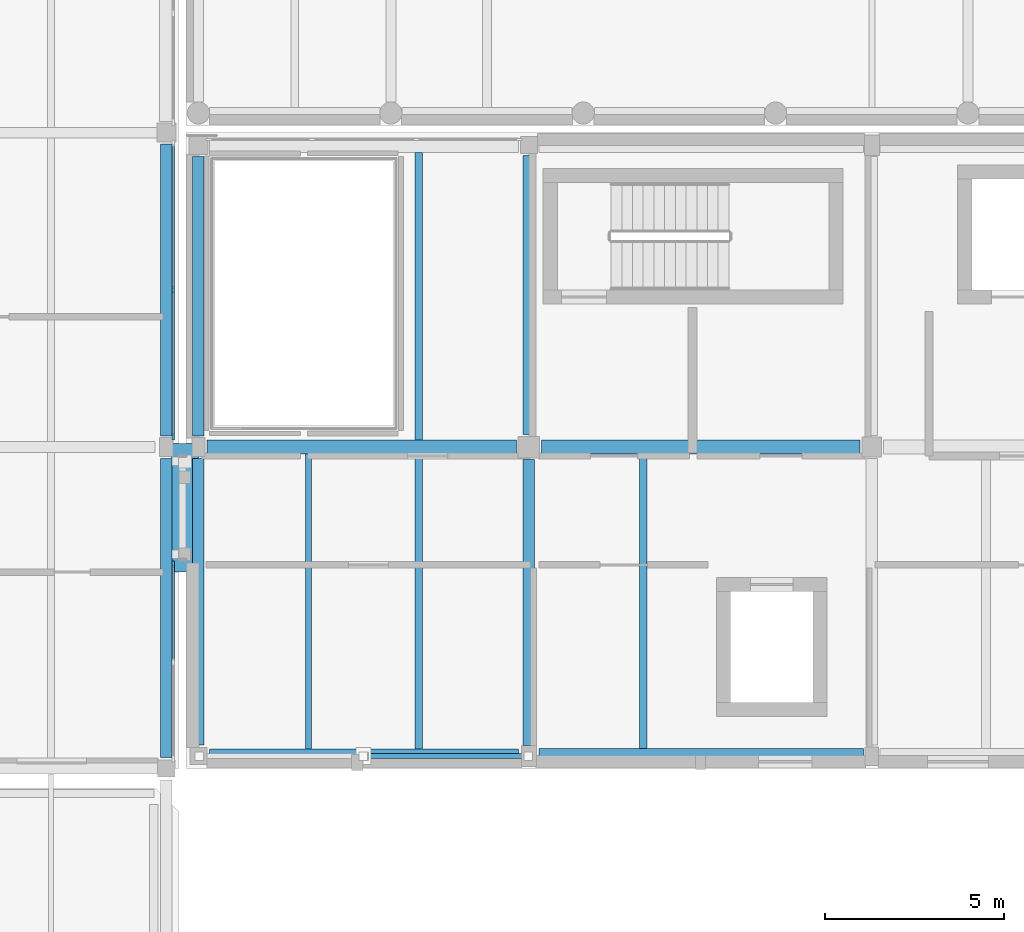
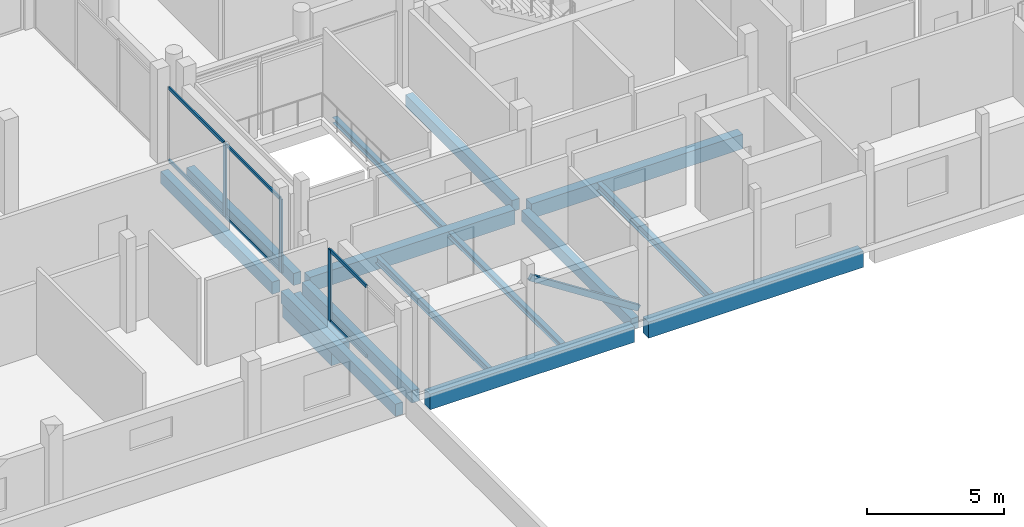
# One storey, part 7 of 66: 15 beams, 10 members, 2 elements without a shape of their own.
"""IFC4 building model written with IfcOpenShell, lengths in metres."""

from ifc_helpers import new_model, si_unit, direction, frame, origin, origin_2d, place, context, subcontext, project, spatial, rectangle, hollow_rectangle, i_section, extrude, material, layer, layer_set, material_profile, profile_set, type_object, element, aggregate, save


model = new_model("IFC4")

# Units and contexts
model_context = context("Model", 3, precision=1e-05, world=origin(), true_north=direction((0.0, 1.0)))
body_context = subcontext(model_context, "Body", "Model", "MODEL_VIEW")
ifc_project = project(units=[si_unit("LENGTHUNIT", "METRE"), si_unit("AREAUNIT", "SQUARE_METRE"), si_unit("VOLUMEUNIT", "CUBIC_METRE"), si_unit("PLANEANGLEUNIT", "RADIAN"), si_unit("MASSUNIT", "GRAM", prefix="KILO")], contexts=[model_context])

# Site, building, storey
site_placement = place(None, origin())
site = spatial("IfcSite", under=ifc_project, at=site_placement, CompositionType="ELEMENT")
building_placement = place(site_placement, origin())
building = spatial("IfcBuilding", under=site, at=building_placement, Name="Birchvale Park Specialist Clinic", CompositionType="ELEMENT")
storey_placement = place(building_placement, frame((0.0, 0.0, 5.39990234375)))
storey = spatial("IfcBuildingStorey", under=building, at=storey_placement, Name="L01", CompositionType="ELEMENT", Elevation=5.39990234375)

# Beams
ifc_material_1 = material(Name="Concrete C40/50", Category="concrete")
ifc_material_profile_1 = material_profile(ifc_material_1, rectangle(XDim=0.419921875, YDim=0.719970703125, at=origin_2d()), Name="RCB-420x720")
ifc_profile_set_1 = profile_set([ifc_material_profile_1], Name="Concrete C40/50")
beam_type_1 = type_object("IfcBeamType", Name="BM-EXT-BG3", PredefinedType="BEAM", material=ifc_profile_set_1)
beam_1_placement = place(storey_placement, frame((61.68994140625, 17.14990234375, -0.639892578125), z_axis=(1.0, 0.0, 0.0), x_axis=(0.0, 1.0, 0.0)))
element("IfcBeam", 1, at=beam_1_placement, inside=storey, type_object=beam_type_1, Name="V4 L01 X girder 2", PredefinedType="BEAM", context=body_context, shape_type="SweptSolid", body=[
    extrude(rectangle(XDim=0.419921875, YDim=0.719970703125, at=origin_2d()), origin(), (0.0, 0.0, 1.0), 9.074951171875),
])
ifc_material_profile_2 = material_profile(ifc_material_1, rectangle(XDim=0.39990234375, YDim=0.68994140625, at=origin_2d()), Name="RCB-400x690")
ifc_profile_set_2 = profile_set([ifc_material_profile_2], Name="Concrete C40/50")
beam_type_2 = type_object("IfcBeamType", Name="BM-EXT-BG4", PredefinedType="BEAM", material=ifc_profile_set_2)
beam_2_placement = place(storey_placement, frame((52.465087890625, 17.14990234375, -0.625), z_axis=(1.0, 0.0, 0.0), x_axis=(0.0, 1.0, 0.0)))
element("IfcBeam", 2, at=beam_2_placement, inside=storey, type_object=beam_type_2, Name="V4 L01 X girder 1", PredefinedType="BEAM", context=body_context, shape_type="SweptSolid", body=[
    extrude(rectangle(XDim=0.39990234375, YDim=0.68994140625, at=origin_2d()), origin(), (0.0, 0.0, 1.0), 8.64501953125),
])
ifc_material_profile_3 = material_profile(ifc_material_1, rectangle(XDim=0.320068359375, YDim=0.5400390625, at=origin_2d()), Name="RCB-320x540")
ifc_profile_set_3 = profile_set([ifc_material_profile_3], Name="Concrete C40/50")
beam_type_3 = type_object("IfcBeamType", Name="BM-EXT-BG7", PredefinedType="BEAM", material=ifc_profile_set_3)
beam_3_placement = place(storey_placement, frame((51.25, 17.114990234375, -0.619873046875), z_axis=(0.0, 1.0, 0.0), x_axis=(-1.0, 0.0, 0.0)))
element("IfcBeam", 3, at=beam_3_placement, inside=storey, type_object=beam_type_3, Name="V2 L01 Y girder 68", PredefinedType="BEAM", context=body_context, shape_type="SweptSolid", body=[
    extrude(rectangle(XDim=0.320068359375, YDim=0.5400390625, at=origin_2d()), origin(), (0.0, 0.0, 1.0), 8.3701171875),
])
beam_4_placement = place(storey_placement, frame((51.25, 26.114990234375, -0.619873046875), z_axis=(0.0, 1.0, 0.0), x_axis=(-1.0, 0.0, 0.0)))
element("IfcBeam", 4, at=beam_4_placement, inside=storey, type_object=beam_type_3, Name="V2 L01 Y girder 69", PredefinedType="BEAM", context=body_context, shape_type="SweptSolid", body=[
    extrude(rectangle(XDim=0.320068359375, YDim=0.5400390625, at=origin_2d()), origin(), (0.0, 0.0, 1.0), 8.169921875),
])
beam_5_placement = place(storey_placement, frame((52.14990234375, 17.465087890625, -0.5498046875), z_axis=(0.0, 1.0, 0.0), x_axis=(-1.0, 0.0, 0.0)))
element("IfcBeam", 5, at=beam_5_placement, inside=storey, type_object=beam_type_3, Name="V4 L01 Y girder 21", PredefinedType="BEAM", context=body_context, shape_type="SweptSolid", body=[
    extrude(rectangle(XDim=0.320068359375, YDim=0.5400390625, at=origin_2d()), origin(), (0.0, 0.0, 1.0), 8.02001953125),
])
beam_6_placement = place(storey_placement, frame((52.14990234375, 26.114990234375, -0.5498046875), z_axis=(0.0, 1.0, 0.0), x_axis=(-1.0, 0.0, 0.0)))
element("IfcBeam", 6, at=beam_6_placement, inside=storey, type_object=beam_type_3, Name="V4 L01 Y girder 22", PredefinedType="BEAM", context=body_context, shape_type="SweptSolid", body=[
    extrude(rectangle(XDim=0.320068359375, YDim=0.5400390625, at=origin_2d()), origin(), (0.0, 0.0, 1.0), 7.820068359375),
])
ifc_material_profile_4 = material_profile(ifc_material_1, rectangle(XDim=0.760009765625, YDim=0.889892578125, at=origin_2d()), Name="RCB-760x890")
ifc_profile_set_4 = profile_set([ifc_material_profile_4], Name="Concrete C40/50")
beam_type_4 = type_object("IfcBeamType", Name="BM-EXT-RB2", PredefinedType="BEAM", material=ifc_profile_set_4)
beam_7_placement = place(storey_placement, frame((51.77001953125, 22.300048828125, -1.431884765625), z_axis=(0.0, 1.0, 0.0), x_axis=(-1.0, 0.0, 0.0)))
element("IfcBeam", 7, at=beam_7_placement, inside=storey, type_object=beam_type_4, Name="L01 seismic joint RC corbel seat 760 mm BRG-1", PredefinedType="BEAM", context=body_context, shape_type="SweptSolid", body=[
    extrude(rectangle(XDim=0.760009765625, YDim=0.889892578125, at=origin_2d()), origin(), (0.0, 0.0, 1.0), 3.599853515625),
])
ifc_material_profile_5 = material_profile(ifc_material_1, rectangle(XDim=0.39990234375, YDim=0.64990234375, at=origin_2d()), Name="RCB-400x650")
ifc_profile_set_5 = profile_set([ifc_material_profile_5], Name="Concrete C40/50")
beam_type_5 = type_object("IfcBeamType", Name="BM-INT-BG4", PredefinedType="BEAM", material=ifc_profile_set_5)
beam_8_placement = place(storey_placement, frame((52.385009765625, 25.800048828125, -0.60498046875), z_axis=(1.0, 0.0, 0.0), x_axis=(0.0, 1.0, 0.0)))
element("IfcBeam", 8, at=beam_8_placement, inside=storey, type_object=beam_type_5, Name="V4 L01 X girder 7", PredefinedType="BEAM", context=body_context, shape_type="SweptSolid", body=[
    extrude(rectangle(XDim=0.39990234375, YDim=0.64990234375, at=origin_2d()), origin(), (0.0, 0.0, 1.0), 8.6650390625),
])
beam_9_placement = place(storey_placement, frame((61.75, 25.800048828125, -0.60498046875), z_axis=(1.0, 0.0, 0.0), x_axis=(0.0, 1.0, 0.0)))
element("IfcBeam", 9, at=beam_9_placement, inside=storey, type_object=beam_type_5, Name="V4 L01 X girder 8", PredefinedType="BEAM", context=body_context, shape_type="SweptSolid", body=[
    extrude(rectangle(XDim=0.39990234375, YDim=0.64990234375, at=origin_2d()), origin(), (0.0, 0.0, 1.0), 8.925048828125),
])
ifc_material_profile_6 = material_profile(ifc_material_1, rectangle(XDim=0.320068359375, YDim=0.5, at=origin_2d()), Name="RCB-320x500")
ifc_profile_set_6 = profile_set([ifc_material_profile_6], Name="Concrete C40/50")
beam_type_6 = type_object("IfcBeamType", Name="BM-INT-BG7", PredefinedType="BEAM", material=ifc_profile_set_6)
beam_10_placement = place(storey_placement, frame((61.39990234375, 17.43994140625, -0.52978515625), z_axis=(0.0, 1.0, 0.0), x_axis=(-1.0, 0.0, 0.0)))
element("IfcBeam", 10, at=beam_10_placement, inside=storey, type_object=beam_type_6, Name="V4 L01 Y girder 23", PredefinedType="BEAM", context=body_context, shape_type="SweptSolid", body=[
    extrude(rectangle(XDim=0.320068359375, YDim=0.5, at=origin_2d()), origin(), (0.0, 0.0, 1.0), 8.010009765625),
])
beam_11_placement = place(storey_placement, frame((61.39990234375, 26.14990234375, -0.52978515625), z_axis=(0.0, 1.0, 0.0), x_axis=(-1.0, 0.0, 0.0)))
element("IfcBeam", 11, at=beam_11_placement, inside=storey, type_object=beam_type_6, Name="V4 L01 Y girder 24", PredefinedType="BEAM", context=body_context, shape_type="SweptSolid", body=[
    extrude(rectangle(XDim=0.320068359375, YDim=0.5, at=origin_2d()), origin(), (0.0, 0.0, 1.0), 7.81005859375),
])

# Curtain wall, member
ifc_material_2 = material(Name="Thermally broken anodised aluminium", Category="aluminium")
ifc_layer = layer(ifc_material_2, 0.195068359375)
ifc_layer_set = layer_set([ifc_layer], Name="Thermally broken anodised aluminium")
curtain_wall_type = type_object("IfcCurtainWallType", Name="CW-U2", PredefinedType="USERDEFINED", material=ifc_layer_set)
curtain_wall_1_placement = place(storey_placement, origin())
curtain_wall_1 = element("IfcCurtainWall", 12, at=curtain_wall_1_placement, inside=storey, type_object=curtain_wall_type, Name="V2 L01 glazed curtain wall 81", ObjectType="UNITISED", PredefinedType="USERDEFINED")
ifc_material_profile_7 = material_profile(ifc_material_2, rectangle(XDim=0.06494140625, YDim=0.179931640625, at=origin_2d()), Name="CWM-65x180")
ifc_profile_set_7 = profile_set([ifc_material_profile_7], Name="Thermally broken anodised aluminium")
member_type_1 = type_object("IfcMemberType", Name="CWM2", PredefinedType="MULLION", material=ifc_profile_set_7)
member_1_placement = place(storey_placement, frame((51.445068359375, 22.517578125, 0.0), z_axis=(0.0, 0.0, 1.0), x_axis=(-1.0, 0.0, 0.0)))
member_1 = element("IfcMember", 13, at=member_1_placement, type_object=member_type_1, Name="CW mullion 3", PredefinedType="MULLION", context=body_context, shape_type="SweptSolid", body=[
    extrude(rectangle(XDim=0.06494140625, YDim=0.179931640625, at=origin_2d()), origin(), (0.0, 0.0, 1.0), 3.195068359375),
])

# Curtain wall, members
curtain_wall_2_placement = place(storey_placement, origin())
curtain_wall_2 = element("IfcCurtainWall", 14, at=curtain_wall_2_placement, inside=storey, type_object=curtain_wall_type, Name="V2 L01 glazed curtain wall 82", ObjectType="UNITISED", PredefinedType="USERDEFINED")
member_2_placement = place(storey_placement, frame((51.445068359375, 26.092529296875, 0.0), z_axis=(0.0, 0.0, 1.0), x_axis=(-1.0, 0.0, 0.0)))
member_2 = element("IfcMember", 15, at=member_2_placement, type_object=member_type_1, Name="CW mullion 1", PredefinedType="MULLION", context=body_context, shape_type="SweptSolid", body=[
    extrude(rectangle(XDim=0.06494140625, YDim=0.179931640625, at=origin_2d()), origin(), (0.0, 0.0, 1.0), 3.295166015625),
])
member_3_placement = place(storey_placement, frame((51.445068359375, 30.197509765625, 0.0), z_axis=(0.0, 0.0, 1.0), x_axis=(-1.0, 0.0, 0.0)))
member_3 = element("IfcMember", 16, at=member_3_placement, type_object=member_type_1, Name="CW mullion 2", PredefinedType="MULLION", context=body_context, shape_type="SweptSolid", body=[
    extrude(rectangle(XDim=0.06494140625, YDim=0.179931640625, at=origin_2d()), origin(), (0.0, 0.0, 1.0), 3.295166015625),
])

# Member
ifc_material_profile_8 = material_profile(ifc_material_2, rectangle(XDim=0.06494140625, YDim=0.139892578125, at=origin_2d()), Name="CWT-65x140")
ifc_profile_set_8 = profile_set([ifc_material_profile_8], Name="Thermally broken anodised aluminium")
member_type_2 = type_object("IfcMemberType", Name="CWT2", PredefinedType="USERDEFINED", material=ifc_profile_set_8)
member_4_placement = place(storey_placement, frame((51.445068359375, 19.827392578125, 0.03271484375), z_axis=(0.0, 1.0, 0.0), x_axis=(-1.0, 0.0, 0.0)))
member_4 = element("IfcMember", 17, at=member_4_placement, type_object=member_type_2, Name="CW transom 2.1", ObjectType="TRANSOM", PredefinedType="USERDEFINED", context=body_context, shape_type="SweptSolid", body=[
    extrude(rectangle(XDim=0.06494140625, YDim=0.139892578125, at=origin_2d()), origin(), (0.0, 0.0, 1.0), 2.65771484375),
])

member_5_placement = place(storey_placement, frame((51.445068359375, 19.827392578125, 3.16259765625), z_axis=(0.0, 1.0, 0.0), x_axis=(-1.0, 0.0, 0.0)))
member_5 = element("IfcMember", 18, at=member_5_placement, type_object=member_type_2, Name="CW transom 2.2", ObjectType="TRANSOM", PredefinedType="USERDEFINED", context=body_context, shape_type="SweptSolid", body=[
    extrude(rectangle(XDim=0.06494140625, YDim=0.139892578125, at=origin_2d()), origin(), (0.0, 0.0, 1.0), 2.65771484375),
])

aggregate(curtain_wall_1, [member_1, member_4, member_5])

member_6_placement = place(storey_placement, frame((51.445068359375, 26.125, 0.03271484375), z_axis=(0.0, 1.0, 0.0), x_axis=(-1.0, 0.0, 0.0)))
member_6 = element("IfcMember", 19, at=member_6_placement, type_object=member_type_2, Name="CW transom 1.1", ObjectType="TRANSOM", PredefinedType="USERDEFINED", context=body_context, shape_type="SweptSolid", body=[
    extrude(rectangle(XDim=0.06494140625, YDim=0.139892578125, at=origin_2d()), origin(), (0.0, 0.0, 1.0), 4.0400390625),
])

member_7_placement = place(storey_placement, frame((51.445068359375, 26.125, 3.2626953125), z_axis=(0.0, 1.0, 0.0), x_axis=(-1.0, 0.0, 0.0)))
member_7 = element("IfcMember", 20, at=member_7_placement, type_object=member_type_2, Name="CW transom 1.2", ObjectType="TRANSOM", PredefinedType="USERDEFINED", context=body_context, shape_type="SweptSolid", body=[
    extrude(rectangle(XDim=0.06494140625, YDim=0.139892578125, at=origin_2d()), origin(), (0.0, 0.0, 1.0), 4.0400390625),
])

member_8_placement = place(storey_placement, frame((51.445068359375, 30.22998046875, 0.03271484375), z_axis=(0.0, 1.0, 0.0), x_axis=(-1.0, 0.0, 0.0)))
member_8 = element("IfcMember", 21, at=member_8_placement, type_object=member_type_2, Name="CW transom 2.1", ObjectType="TRANSOM", PredefinedType="USERDEFINED", context=body_context, shape_type="SweptSolid", body=[
    extrude(rectangle(XDim=0.06494140625, YDim=0.139892578125, at=origin_2d()), origin(), (0.0, 0.0, 1.0), 4.0400390625),
])

member_9_placement = place(storey_placement, frame((51.445068359375, 30.22998046875, 3.2626953125), z_axis=(0.0, 1.0, 0.0), x_axis=(-1.0, 0.0, 0.0)))
member_9 = element("IfcMember", 22, at=member_9_placement, type_object=member_type_2, Name="CW transom 2.2", ObjectType="TRANSOM", PredefinedType="USERDEFINED", context=body_context, shape_type="SweptSolid", body=[
    extrude(rectangle(XDim=0.06494140625, YDim=0.139892578125, at=origin_2d()), origin(), (0.0, 0.0, 1.0), 4.0400390625),
])

aggregate(curtain_wall_2, [member_2, member_3, member_6, member_7, member_8, member_9])

ifc_material_3 = material(Name="Steel ASTM A500 Grade C", Category="steel")
ifc_material_profile_9 = material_profile(ifc_material_3, hollow_rectangle(XDim=0.14990234375, YDim=0.25, WallThickness=0.010009765625, at=origin_2d()), Name="HSS150X250X10")
ifc_profile_set_9 = profile_set([ifc_material_profile_9], Name="Steel ASTM A500 Grade C")
member_type_3 = type_object("IfcMemberType", Name="MEM-BR7", PredefinedType="BRACE", material=ifc_profile_set_9)
member_10_placement = place(storey_placement, frame((61.374755859375, 17.14990234375, 0.366455078125), z_axis=(-0.839793749103, 0.0, 0.54290557095), x_axis=(0.0, -1.0, 0.0)))
element("IfcMember", 23, at=member_10_placement, inside=storey, type_object=member_type_3, Name="V4 L01 chevron steel brace 3.2", PredefinedType="BRACE", context=body_context, shape_type="SweptSolid", body=[
    extrude(hollow_rectangle(XDim=0.14990234375, YDim=0.25, WallThickness=0.010009765625, at=origin_2d()), origin(), (0.0, 0.0, 1.0), 5.447021484375),
])

# Beams
ifc_material_4 = material(Name="Steel ASTM A992 Grade 50", Category="steel")
ifc_material_profile_10 = material_profile(ifc_material_4, i_section(OverallWidth=0.2041015625, OverallDepth=0.35107421875, WebThickness=0.008544921875, FlangeThickness=0.01513671875, at=origin_2d()), Name="W14X48")
ifc_profile_set_10 = profile_set([ifc_material_profile_10], Name="Steel ASTM A992 Grade 50")
beam_type_7 = type_object("IfcBeamType", Name="STL-INT-SJ1", PredefinedType="JOIST", material=ifc_profile_set_10)
beam_12_placement = place(storey_placement, frame((64.60009765625, 17.360107421875, -0.455322265625), z_axis=(0.0, 1.0, 0.0), x_axis=(-1.0, 0.0, 0.0)))
element("IfcBeam", 24, at=beam_12_placement, inside=storey, type_object=beam_type_7, Name="V4 L01 secondary floor joist 4", PredefinedType="JOIST", context=body_context, shape_type="SweptSolid", body=[
    extrude(i_section(OverallWidth=0.2041015625, OverallDepth=0.35107421875, WebThickness=0.008544921875, FlangeThickness=0.01513671875, at=origin_2d()), origin(), (0.0, 0.0, 1.0), 8.239990234375),
])
ifc_material_profile_11 = material_profile(ifc_material_4, i_section(OverallWidth=0.1669921875, OverallDepth=0.31689453125, WebThickness=0.007568359375, FlangeThickness=0.01318359375, at=origin_2d()), Name="W12X35")
ifc_profile_set_11 = profile_set([ifc_material_profile_11], Name="Steel ASTM A992 Grade 50")
beam_type_8 = type_object("IfcBeamType", Name="STL-INT-SJ3", PredefinedType="JOIST", material=ifc_profile_set_11)
beam_13_placement = place(storey_placement, frame((55.2333984375, 17.35009765625, -0.4384765625), z_axis=(0.0, 1.0, 0.0), x_axis=(-1.0, 0.0, 0.0)))
element("IfcBeam", 25, at=beam_13_placement, inside=storey, type_object=beam_type_8, Name="V4 L01 secondary floor joist 1", PredefinedType="JOIST", context=body_context, shape_type="SweptSolid", body=[
    extrude(i_section(OverallWidth=0.1669921875, OverallDepth=0.31689453125, WebThickness=0.007568359375, FlangeThickness=0.01318359375, at=origin_2d()), origin(), (0.0, 0.0, 1.0), 8.25),
])
ifc_material_profile_12 = material_profile(ifc_material_4, i_section(OverallWidth=0.202880859375, OverallDepth=0.251953125, WebThickness=0.008056640625, FlangeThickness=0.013427734375, at=origin_2d()), Name="W10X39")
ifc_profile_set_12 = profile_set([ifc_material_profile_12], Name="Steel ASTM A992 Grade 50")
beam_type_9 = type_object("IfcBeamType", Name="STL-INT-SJ4", PredefinedType="JOIST", material=ifc_profile_set_12)
beam_14_placement = place(storey_placement, frame((58.316650390625, 17.35009765625, -0.406005859375), z_axis=(0.0, 1.0, 0.0), x_axis=(-1.0, 0.0, 0.0)))
element("IfcBeam", 26, at=beam_14_placement, inside=storey, type_object=beam_type_9, Name="V4 L01 secondary floor joist 2", PredefinedType="JOIST", context=body_context, shape_type="SweptSolid", body=[
    extrude(i_section(OverallWidth=0.202880859375, OverallDepth=0.251953125, WebThickness=0.008056640625, FlangeThickness=0.013427734375, at=origin_2d()), origin(), (0.0, 0.0, 1.0), 8.25),
])
beam_15_placement = place(storey_placement, frame((58.316650390625, 26.0, -0.406005859375), z_axis=(0.0, 1.0, 0.0), x_axis=(-1.0, 0.0, 0.0)))
element("IfcBeam", 27, at=beam_15_placement, inside=storey, type_object=beam_type_9, Name="V4 L01 secondary floor joist 3", PredefinedType="JOIST", context=body_context, shape_type="SweptSolid", body=[
    extrude(i_section(OverallWidth=0.202880859375, OverallDepth=0.251953125, WebThickness=0.008056640625, FlangeThickness=0.013427734375, at=origin_2d()), origin(), (0.0, 0.0, 1.0), 8.050048828125),
])

save(model, "model.ifc")
